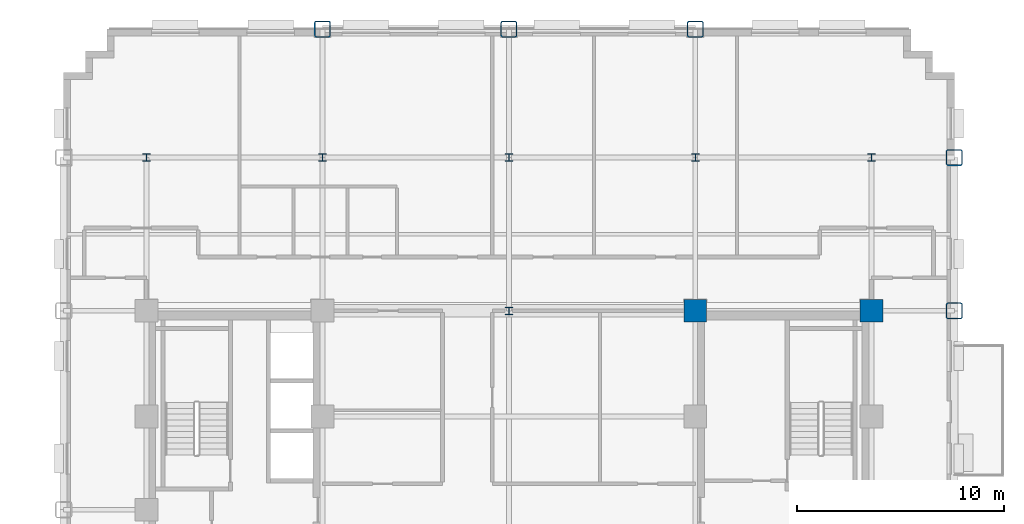
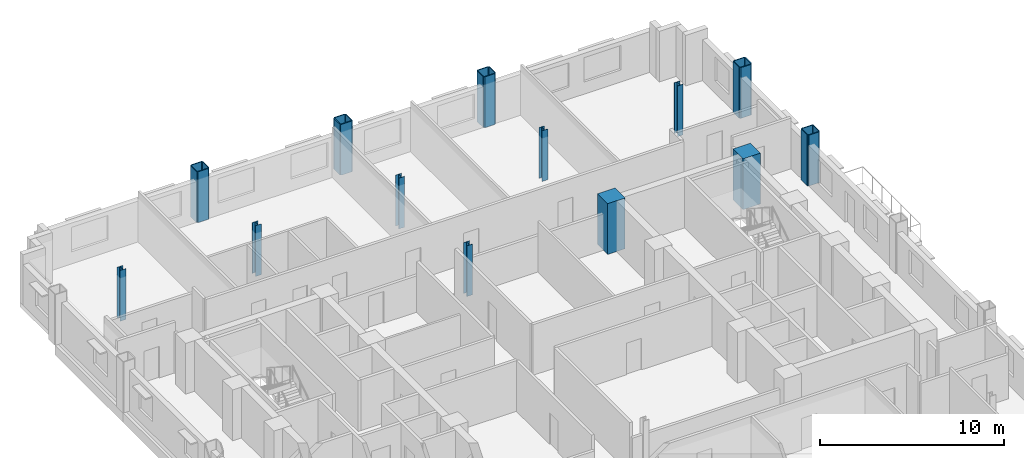
# One storey, part 3 of 14: 13 columns.
"""IFC4 building model written with IfcOpenShell, lengths in metres."""

from ifc_helpers import new_model, si_unit, direction, frame, origin, origin_2d, place, context, subcontext, project, spatial, rectangle, hollow_rectangle, i_section, extrude, material, material_profile, profile_set, type_object, element, save


model = new_model("IFC4")

# Units and contexts
model_context = context("Model", 3, precision=1e-05, world=origin(), true_north=direction((0.0, 1.0)))
body_context = subcontext(model_context, "Body", "Model", "MODEL_VIEW")
ifc_project = project(units=[si_unit("LENGTHUNIT", "METRE"), si_unit("AREAUNIT", "SQUARE_METRE"), si_unit("VOLUMEUNIT", "CUBIC_METRE"), si_unit("PLANEANGLEUNIT", "RADIAN"), si_unit("MASSUNIT", "GRAM", prefix="KILO")], contexts=[model_context])

# Site, building, storey
site_placement = place(None, origin())
site = spatial("IfcSite", under=ifc_project, at=site_placement, CompositionType="ELEMENT")
building_placement = place(site_placement, origin())
building = spatial("IfcBuilding", under=site, at=building_placement, Name="Nuvemarco Arch Tower", CompositionType="ELEMENT")
storey_placement = place(building_placement, frame((0.0, 0.0, 75.050048828125)))
storey = spatial("IfcBuildingStorey", under=building, at=storey_placement, Name="L19", CompositionType="ELEMENT", Elevation=75.050048828125)

# Columns
ifc_material_1 = material(Name="Concrete C60/75", Category="concrete")
ifc_material_profile_1 = material_profile(ifc_material_1, rectangle(XDim=1.10009765625, YDim=1.10009765625, at=origin_2d()), Name="RC-COL-1100x1100")
ifc_profile_set_1 = profile_set([ifc_material_profile_1], Name="Concrete C60/75")
column_type_1 = type_object("IfcColumnType", Name="COL-CORE-1100", PredefinedType="COLUMN", material=ifc_profile_set_1)
for number, where, z_axis, x_axis, name in (
    (1, (9.0, 9.60009765625, 0.0), (0.0, 0.0, 1.0), (1.0, 0.0, 0.0), "L19 column CC_+9.0_+9.6"),
    (2, (17.5, 9.60009765625, 0.0), (0.0, 0.0, 1.0), (1.0, 0.0, 0.0), "L19 column CC_+17.5_+9.6"),
):
    element("IfcColumn", number, at=place(storey_placement, frame(where, z_axis=z_axis, x_axis=x_axis)), inside=storey, type_object=column_type_1, Name=name, PredefinedType="COLUMN", context=body_context, shape_type="SweptSolid", body=[
        extrude(rectangle(XDim=1.10009765625, YDim=1.10009765625, at=origin_2d()), origin(), (0.0, 0.0, 1.0), 3.369873046875),
    ])
ifc_material_2 = material(Name="Steel S460", Category="steel")
ifc_material_profile_2 = material_profile(ifc_material_2, hollow_rectangle(XDim=0.800048828125, YDim=0.800048828125, WallThickness=0.054931640625, InnerFilletRadius=0.054931640625, OuterFilletRadius=0.110107421875, at=origin_2d()), Name="SHS800x800x55")
ifc_profile_set_2 = profile_set([ifc_material_profile_2], Name="Steel S460")
column_type_2 = type_object("IfcColumnType", Name="COL-EXO-800", PredefinedType="COLUMN", material=ifc_profile_set_2)
for number, where, z_axis, x_axis, name in (
    (3, (21.5, 9.60009765625, 0.0), (0.0, 0.0, 1.0), (1.0, 0.0, 0.0), "L19 column CX_+21.5_+9.6"),
    (4, (21.5, 17.0, 0.0), (0.0, 0.0, 1.0), (1.0, 0.0, 0.0), "L19 column CX_+21.5_+17.0"),
    (5, (-9.0, 23.199951171875, 0.0), (0.0, 0.0, 1.0), (1.0, 0.0, 0.0), "L19 column CY_-9.0_+23.2"),
    (6, (0.0, 23.199951171875, 0.0), (0.0, 0.0, 1.0), (1.0, 0.0, 0.0), "L19 column CY_+0.0_+23.2"),
    (7, (9.0, 23.199951171875, 0.0), (0.0, 0.0, 1.0), (1.0, 0.0, 0.0), "L19 column CY_+9.0_+23.2"),
):
    element("IfcColumn", number, at=place(storey_placement, frame(where, z_axis=z_axis, x_axis=x_axis)), inside=storey, type_object=column_type_2, Name=name, PredefinedType="COLUMN", context=body_context, shape_type="SweptSolid", body=[
        extrude(hollow_rectangle(XDim=0.800048828125, YDim=0.800048828125, WallThickness=0.054931640625, InnerFilletRadius=0.054931640625, OuterFilletRadius=0.110107421875, at=origin_2d()), origin(), (0.0, 0.0, 1.0), 3.369873046875),
    ])
ifc_material_3 = material(Name="Steel S355", Category="steel")
ifc_material_profile_3 = material_profile(ifc_material_3, i_section(OverallWidth=0.360107421875, OverallDepth=0.360107421875, WebThickness=0.0205078125, FlangeThickness=0.0205078125, FilletRadius=0.01806640625, at=origin_2d()), Name="HP360x174")
ifc_profile_set_3 = profile_set([ifc_material_profile_3], Name="Steel S355")
column_type_3 = type_object("IfcColumnType", Name="COL-STL-HP360", PredefinedType="COLUMN", material=ifc_profile_set_3)
for number, where, z_axis, x_axis, name in (
    (8, (0.0, 9.60009765625, 0.0), (0.0, 0.0, 1.0), (1.0, 0.0, 0.0), "L19 column CI_+0.0_+9.6"),
    (9, (0.0, 17.0, 0.0), (0.0, 0.0, 1.0), (1.0, 0.0, 0.0), "L19 column CI_+0.0_+17.0"),
    (10, (-17.5, 17.0, 0.0), (0.0, 0.0, 1.0), (1.0, 0.0, 0.0), "L19 column CI_-17.5_+17.0"),
    (11, (-9.0, 17.0, 0.0), (0.0, 0.0, 1.0), (1.0, 0.0, 0.0), "L19 column CI_-9.0_+17.0"),
    (12, (9.0, 17.0, 0.0), (0.0, 0.0, 1.0), (1.0, 0.0, 0.0), "L19 column CI_+9.0_+17.0"),
    (13, (17.5, 17.0, 0.0), (0.0, 0.0, 1.0), (1.0, 0.0, 0.0), "L19 column CI_+17.5_+17.0"),
):
    element("IfcColumn", number, at=place(storey_placement, frame(where, z_axis=z_axis, x_axis=x_axis)), inside=storey, type_object=column_type_3, Name=name, PredefinedType="COLUMN", context=body_context, shape_type="SweptSolid", body=[
        extrude(i_section(OverallWidth=0.360107421875, OverallDepth=0.360107421875, WebThickness=0.0205078125, FlangeThickness=0.0205078125, FilletRadius=0.01806640625, at=origin_2d()), origin(), (0.0, 0.0, 1.0), 3.369873046875),
    ])

save(model, "model.ifc")
